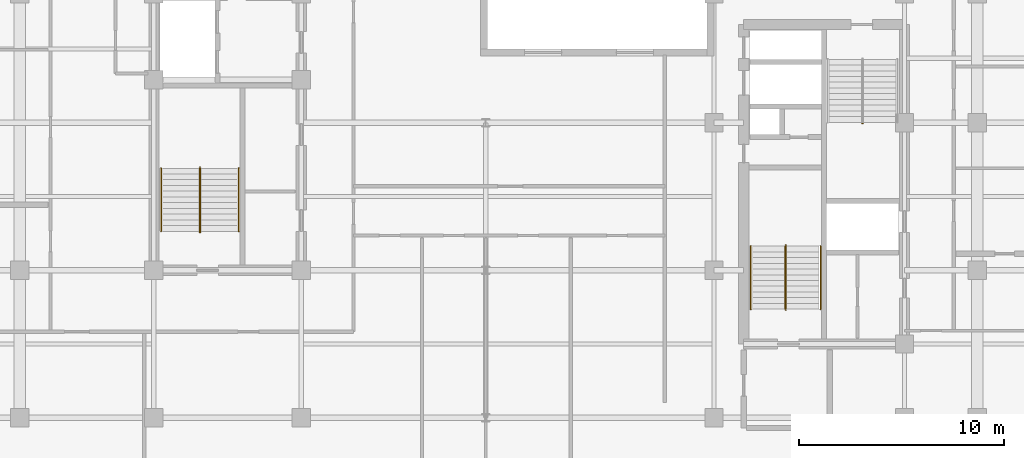
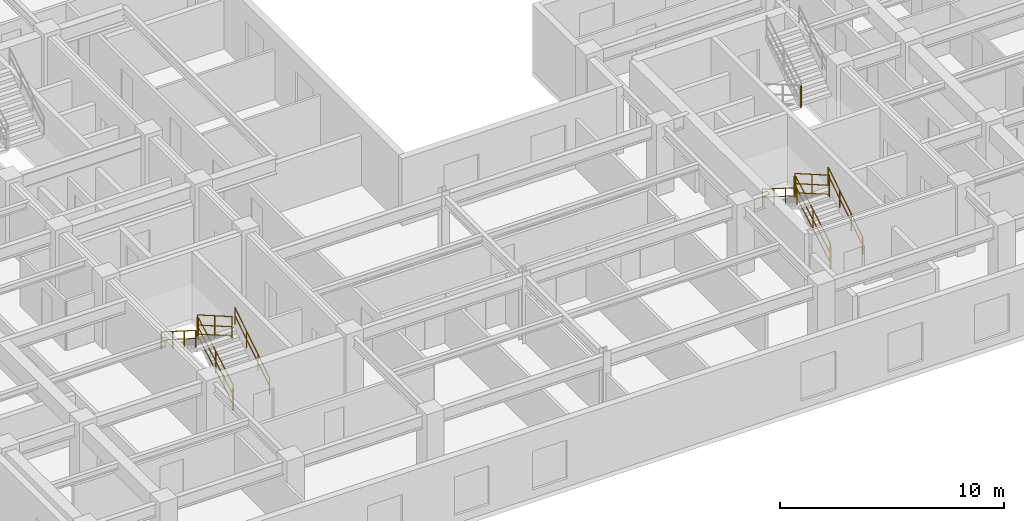
# One storey, part 9 of 11: 13 railings.
"""IFC4 building model written with IfcOpenShell, lengths in metres."""

import ifcopenshell
import ifcopenshell.guid

model = None  # the IFC model being written
_history = None  # IfcOwnerHistory: only IFC2X3 demands one
_inside = {}  # id of a spatial element -> (the spatial element, [elements in it])
_under = {}  # id of a project, library or spatial element -> (it, [spatial elements below it])
_declared = {}  # id of a project -> (the project, [libraries it declares])
_typed = {}  # id of a type object -> (the type object, [elements of that type])
_made_of = {}  # id of a material, layer set ... -> (it, [elements and type objects made of it])


def new_model(schema):
    """Start an empty IFC model of exactly this schema.

    Asked for "IFC4X3", IfcOpenShell would pick the latest addendum, in which some entities
    have other attributes; the version numbers below select the first issue.
    IFC2X3 requires an IfcOwnerHistory on every rooted entity: one is made here for all.
    """
    global model, _history
    if schema == "IFC4X3":
        model = ifcopenshell.file(schema_version=(4, 3, 0, 0))
    else:
        model = ifcopenshell.file(schema=schema)
    _inside.clear()
    _under.clear()
    _declared.clear()
    _typed.clear()
    _made_of.clear()
    _history = None
    if model.schema == "IFC2X3":
        org = make("IfcOrganization", Name="unknown")
        user = make(
            "IfcPersonAndOrganization",
            ThePerson=make("IfcPerson", FamilyName="unknown"),
            TheOrganization=org,
        )
        app = make(
            "IfcApplication",
            ApplicationDeveloper=org,
            Version="unknown",
            ApplicationFullName="unknown",
            ApplicationIdentifier="unknown",
        )
        _history = make(
            "IfcOwnerHistory",
            OwningUser=user,
            OwningApplication=app,
            ChangeAction="ADDED",
            CreationDate=0,
        )
    return model


def make(cls, **values):
    """One entity of the class cls with the attributes given. An attribute that is None is left unset."""
    return model.create_entity(
        cls, **{name: value for name, value in values.items() if value is not None}
    )


def entity(cls, *values):
    """Any entity or typed value of the class cls, its attributes in the order of the schema. None: left unset."""
    e = model.create_entity(cls)
    for i, value in enumerate(values):
        if value is not None:
            e[i] = value
    return e


def rooted(cls, **values):
    """An entity with a GlobalId (a new one), such as an element, a storey or a relation."""
    return make(cls, GlobalId=ifcopenshell.guid.new(), OwnerHistory=_history, **values)


def si_unit(unit_type, name, prefix=None):
    """IfcSIUnit, for example si_unit("LENGTHUNIT", "METRE", prefix="MILLI")."""
    return make("IfcSIUnit", UnitType=unit_type, Prefix=prefix, Name=name)


def converted_unit(unit_type, name, factor, base, dimensions=None, offset=None):
    """IfcConversionBasedUnit, such as the inch: factor (a typed value) times the base unit."""
    return make(
        "IfcConversionBasedUnit"
        if offset is None
        else "IfcConversionBasedUnitWithOffset",
        ConversionOffset=offset,
        Dimensions=None
        if dimensions is None
        else entity("IfcDimensionalExponents", *dimensions),
        UnitType=unit_type,
        Name=name,
        ConversionFactor=make(
            "IfcMeasureWithUnit", ValueComponent=factor, UnitComponent=base
        ),
    )


def assignment(units):
    """IfcUnitAssignment: the units of a project."""
    return None if units is None else make("IfcUnitAssignment", Units=units)


def point(xyz):
    """IfcCartesianPoint."""
    return None if xyz is None else make("IfcCartesianPoint", Coordinates=xyz)


def direction(xyz):
    """IfcDirection."""
    return None if xyz is None else make("IfcDirection", DirectionRatios=xyz)


def frame(location, z_axis=None, x_axis=None):
    """IfcAxis2Placement3D, a coordinate frame: its origin and axes. An axis left out is left unset."""
    return make(
        "IfcAxis2Placement3D",
        Location=point(location),
        Axis=direction(z_axis),
        RefDirection=direction(x_axis),
    )


def frame_2d(location, x_axis=None):
    """IfcAxis2Placement2D, a coordinate frame in the plane: its origin and x axis."""
    return make(
        "IfcAxis2Placement2D", Location=point(location), RefDirection=direction(x_axis)
    )


def origin_with_axes():
    """The frame at (0, 0, 0) with the z axis (0, 0, 1) and the x axis (1, 0, 0) written out."""
    return frame((0.0, 0.0, 0.0), z_axis=(0.0, 0.0, 1.0), x_axis=(1.0, 0.0, 0.0))


def origin_2d_with_axis():
    """The frame at (0, 0) in the plane with the x axis (1, 0) written out."""
    return frame_2d((0.0, 0.0), x_axis=(1.0, 0.0))


def place(relative_to, where):
    """IfcLocalPlacement: puts the frame where relative to a parent placement (None: the world)."""
    return make(
        "IfcLocalPlacement", PlacementRelTo=relative_to, RelativePlacement=where
    )


def context(
    kind, dimensions, precision=None, world=None, true_north=None, identifier=None
):
    """IfcGeometricRepresentationContext, for example the 3D "Model" context."""
    return make(
        "IfcGeometricRepresentationContext",
        ContextIdentifier=identifier,
        ContextType=kind,
        CoordinateSpaceDimension=dimensions,
        Precision=precision,
        WorldCoordinateSystem=world,
        TrueNorth=true_north,
    )


def subcontext(parent, identifier, kind, view, scale=None):
    """IfcGeometricRepresentationSubContext, for example "Body" below "Model"."""
    return make(
        "IfcGeometricRepresentationSubContext",
        ContextIdentifier=identifier,
        ContextType=kind,
        ParentContext=parent,
        TargetScale=scale,
        TargetView=view,
    )


def project(units=None, contexts=None):
    """IfcProject with its units and contexts."""
    return rooted(
        "IfcProject",
        Name="project",
        RepresentationContexts=contexts,
        UnitsInContext=assignment(units),
    )


def spatial(cls, under=None, at=None, **own):
    """A site, building, storey or space (cls), placed at a placement, below another one or the project."""
    s = rooted(cls, ObjectPlacement=at, **own)
    if under is not None:
        _under.setdefault(under.id(), (under, []))[1].append(s)
    return s


def profile(cls, at=None, kind="AREA", **sizes):
    """A parametric profile (cls). Its sizes go by their IFC names, for example OverallWidth=200.0."""
    return make(cls, ProfileType=kind, Position=at, **sizes)


def rectangle(**sizes):
    """IfcRectangleProfileDef."""
    return profile("IfcRectangleProfileDef", **sizes)


def circle(**sizes):
    """IfcCircleProfileDef."""
    return profile("IfcCircleProfileDef", **sizes)


def extrude(swept, where, along, depth):
    """IfcExtrudedAreaSolid: the profile swept, set in the frame where, extruded along a direction by depth."""
    return make(
        "IfcExtrudedAreaSolid",
        SweptArea=swept,
        Position=where,
        ExtrudedDirection=direction(along),
        Depth=depth,
    )


def shape(context_of_items, identifier, shape_type, items):
    """IfcShapeRepresentation: the items that make up one representation, for example the "Body"."""
    return make(
        "IfcShapeRepresentation",
        ContextOfItems=context_of_items,
        RepresentationIdentifier=identifier,
        RepresentationType=shape_type,
        Items=items,
    )


def material(Name=None, Category=None):
    """IfcMaterial."""
    return make("IfcMaterial", Name=Name, Category=Category)


def made_of(thing, what):
    """Note that an element or type object is made of a material, layer set ...; save() writes the relation."""
    if what is not None:
        _made_of.setdefault(what.id(), (what, []))[1].append(thing)
    return thing


def type_object(cls, material=None, **own):
    """A type object (cls), such as IfcWallType, which elements share."""
    return made_of(rooted(cls, **own), material)


def element(
    cls,
    number,
    at=None,
    inside=None,
    cuts=None,
    type_object=None,
    material=None,
    context=None,
    identifier="Body",
    shape_type=None,
    held_by="IfcProductDefinitionShape",
    body=None,
    shapes=None,
    **own,
):
    """One element of the class cls, such as IfcWall. Its Tag is "e" and its number.

    at: its placement. inside: the storey or other place that contains it. cuts: it is an
    opening in that element (IfcRelVoidsElement). A single representation is given by context,
    identifier, shape_type and body (its items); several are given by shapes. held_by: the class
    of the entity that holds the representations. save() writes the other relations.
    """
    e = rooted(cls, Tag="e%d" % number, ObjectPlacement=at, **own)
    if body is not None:
        shapes = [shape(context, identifier, shape_type, body)]
    if shapes is not None:
        e.Representation = make(held_by, Representations=shapes)
    if inside is not None:
        _inside.setdefault(inside.id(), (inside, []))[1].append(e)
    if cuts is not None:
        rooted(
            "IfcRelVoidsElement", RelatingBuildingElement=cuts, RelatedOpeningElement=e
        )
    if type_object is not None:
        _typed.setdefault(type_object.id(), (type_object, []))[1].append(e)
    return made_of(e, material)


def aggregate(whole, parts):
    """IfcRelAggregates: a whole, such as a stair, and the parts it consists of."""
    return rooted("IfcRelAggregates", RelatingObject=whole, RelatedObjects=parts)


def save(model, path):
    """Write the relations noted so far, then the file.

    IfcRelAggregates (storeys below a building ...), IfcRelContainedInSpatialStructure (elements
    in a storey), IfcRelDefinesByType, IfcRelAssociatesMaterial and IfcRelDeclares: one each for
    every whole, place, type object, material and project.
    """
    for whole, parts in _under.values():
        aggregate(whole, parts)
    for where, things in _inside.values():
        rooted(
            "IfcRelContainedInSpatialStructure",
            RelatedElements=things,
            RelatingStructure=where,
        )
    for kind, things in _typed.values():
        rooted("IfcRelDefinesByType", RelatedObjects=things, RelatingType=kind)
    for what, things in _made_of.values():
        rooted("IfcRelAssociatesMaterial", RelatedObjects=things, RelatingMaterial=what)
    for by, libraries in _declared.values():
        rooted("IfcRelDeclares", RelatingContext=by, RelatedDefinitions=libraries)
    model.write(path)


model = new_model("IFC4")

# Units and contexts
model_context = context("Model", 3, precision=1e-05, world=origin_with_axes(), true_north=direction((0.0, 1.0)))
body_context = subcontext(model_context, "Body", "Model", "MODEL_VIEW")
ifc_project = project(units=[si_unit("LENGTHUNIT", "METRE"), si_unit("AREAUNIT", "SQUARE_METRE"), si_unit("VOLUMEUNIT", "CUBIC_METRE"), converted_unit("PLANEANGLEUNIT", "DEGREE", entity("IfcPlaneAngleMeasure", 0.017453292519943295), si_unit("PLANEANGLEUNIT", "RADIAN"), dimensions=[0, 0, 0, 0, 0, 0, 0]), si_unit("MASSUNIT", "GRAM", prefix="KILO"), si_unit("THERMODYNAMICTEMPERATUREUNIT", "KELVIN")], contexts=[model_context])

# Site, building, storey
site_placement = place(None, origin_with_axes())
site = spatial("IfcSite", under=ifc_project, at=site_placement, CompositionType="ELEMENT")
building_placement = place(site_placement, origin_with_axes())
building = spatial("IfcBuilding", under=site, at=building_placement, Name="Varnlund Millrace Tower", CompositionType="ELEMENT")
storey_placement = place(building_placement, frame((0.0, 0.0, 192.6), z_axis=(0.0, 0.0, 1.0), x_axis=(1.0, 0.0, 0.0)))
storey = spatial("IfcBuildingStorey", under=building, at=storey_placement, Name="L47", CompositionType="ELEMENT", Elevation=192.6)

# Railings
ifc_material_1 = material(Name="Painted steel stair well balustrade guard", Category="steel")
railing_type_1 = type_object("IfcRailingType", Name="Type-StairGuard-1150", PredefinedType="GUARDRAIL", material=ifc_material_1)
railing_1_placement = place(storey_placement, frame((0.0, 0.0, -192.6), z_axis=(0.0, 0.0, 1.0), x_axis=(1.0, 0.0, 0.0)))
element("IfcRailing", 1, at=railing_1_placement, inside=storey, type_object=railing_type_1, Name="Type-StairGuard-1150", PredefinedType="GUARDRAIL", context=body_context, shape_type="SweptSolid", body=[
    extrude(circle(Radius=0.024, at=origin_2d_with_axis()), frame((13.675, 12.7, 193.927273), z_axis=(0.0, 0.866696, 0.498836), x_axis=(-1.0, 0.0, 0.0)), (0.0, 0.0, 1.0), 3.553725),
    extrude(circle(Radius=0.024, at=origin_2d_with_axis()), frame((13.675, 12.7, 192.877273), z_axis=(0.0, 0.866696, 0.498836), x_axis=(-1.0, 0.0, 0.0)), (0.0, 0.0, 1.0), 3.553725),
    extrude(circle(Radius=0.024, at=origin_2d_with_axis()), frame((13.675, 12.7, 193.375273), z_axis=(0.0, 0.866696, 0.498836), x_axis=(-1.0, 0.0, 0.0)), (0.0, 0.0, 1.0), 3.553725),
    extrude(rectangle(XDim=0.04, YDim=0.04, at=origin_2d_with_axis()), frame((13.675, 12.7, 192.737273), z_axis=(0.0, 0.0, 1.0), x_axis=(1.0, 0.0, 0.0)), (0.0, 0.0, 1.0), 1.19),
    extrude(rectangle(XDim=0.04, YDim=0.04, at=origin_2d_with_axis()), frame((13.675, 14.24, 193.623636), z_axis=(0.0, 0.0, 1.0), x_axis=(1.0, 0.0, 0.0)), (0.0, 0.0, 1.0), 1.19),
    extrude(rectangle(XDim=0.04, YDim=0.04, at=origin_2d_with_axis()), frame((13.675, 15.78, 194.51), z_axis=(0.0, 0.0, 1.0), x_axis=(1.0, 0.0, 0.0)), (0.0, 0.0, 1.0), 1.19),
])
railing_2_placement = place(storey_placement, frame((0.0, 0.0, -192.6), z_axis=(0.0, 0.0, 1.0), x_axis=(1.0, 0.0, 0.0)))
element("IfcRailing", 2, at=railing_2_placement, inside=storey, type_object=railing_type_1, Name="Type-StairGuard-1150", PredefinedType="GUARDRAIL", context=body_context, shape_type="SweptSolid", body=[
    extrude(circle(Radius=0.024, at=origin_2d_with_axis()), frame((13.625, 15.83, 195.7), z_axis=(1.0, 0.0, 0.0), x_axis=(0.0, 1.0, 0.0)), (0.0, 0.0, 1.0), 0.05),
    extrude(circle(Radius=0.024, at=origin_2d_with_axis()), frame((13.625, 15.83, 194.65), z_axis=(1.0, 0.0, 0.0), x_axis=(0.0, 1.0, 0.0)), (0.0, 0.0, 1.0), 0.05),
    extrude(circle(Radius=0.024, at=origin_2d_with_axis()), frame((13.625, 15.83, 195.148), z_axis=(1.0, 0.0, 0.0), x_axis=(0.0, 1.0, 0.0)), (0.0, 0.0, 1.0), 0.05),
    extrude(rectangle(XDim=0.04, YDim=0.04, at=origin_2d_with_axis()), frame((13.625, 15.83, 194.51), z_axis=(0.0, 0.0, 1.0), x_axis=(1.0, 0.0, 0.0)), (0.0, 0.0, 1.0), 1.19),
    extrude(rectangle(XDim=0.04, YDim=0.04, at=origin_2d_with_axis()), frame((13.675, 15.83, 194.51), z_axis=(0.0, 0.0, 1.0), x_axis=(1.0, 0.0, 0.0)), (0.0, 0.0, 1.0), 1.19),
])
railing_3_placement = place(storey_placement, frame((0.0, 0.0, -192.6), z_axis=(0.0, 0.0, 1.0), x_axis=(1.0, 0.0, 0.0)))
element("IfcRailing", 3, at=railing_3_placement, inside=storey, type_object=railing_type_1, Name="Type-StairGuard-1150", PredefinedType="GUARDRAIL", context=body_context, shape_type="SweptSolid", body=[
    extrude(circle(Radius=0.024, at=origin_2d_with_axis()), frame((13.625, 15.78, 195.877273), z_axis=(0.0, -0.866696, 0.498836), x_axis=(1.0, 0.0, 0.0)), (0.0, 0.0, 1.0), 3.553725),
    extrude(circle(Radius=0.024, at=origin_2d_with_axis()), frame((13.625, 15.78, 194.827273), z_axis=(0.0, -0.866696, 0.498836), x_axis=(1.0, 0.0, 0.0)), (0.0, 0.0, 1.0), 3.553725),
    extrude(circle(Radius=0.024, at=origin_2d_with_axis()), frame((13.625, 15.78, 195.325273), z_axis=(0.0, -0.866696, 0.498836), x_axis=(1.0, 0.0, 0.0)), (0.0, 0.0, 1.0), 3.553725),
    extrude(rectangle(XDim=0.04, YDim=0.04, at=origin_2d_with_axis()), frame((13.625, 15.78, 194.687273), z_axis=(0.0, 0.0, 1.0), x_axis=(1.0, 0.0, 0.0)), (0.0, 0.0, 1.0), 1.19),
    extrude(rectangle(XDim=0.04, YDim=0.04, at=origin_2d_with_axis()), frame((13.625, 14.24, 195.573636), z_axis=(0.0, 0.0, 1.0), x_axis=(1.0, 0.0, 0.0)), (0.0, 0.0, 1.0), 1.19),
    extrude(rectangle(XDim=0.04, YDim=0.04, at=origin_2d_with_axis()), frame((13.625, 12.7, 196.46), z_axis=(0.0, 0.0, 1.0), x_axis=(1.0, 0.0, 0.0)), (0.0, 0.0, 1.0), 1.19),
])
railing_4_placement = place(storey_placement, frame((0.0, 0.0, -192.6), z_axis=(0.0, 0.0, 1.0), x_axis=(1.0, 0.0, 0.0)))
element("IfcRailing", 4, at=railing_4_placement, inside=storey, type_object=railing_type_1, Name="Type-StairGuard-1150", PredefinedType="GUARDRAIL", context=body_context, shape_type="SweptSolid", body=[
    extrude(circle(Radius=0.024, at=origin_2d_with_axis()), frame((13.625, 12.65, 193.75), z_axis=(1.0, 0.0, 0.0), x_axis=(0.0, 1.0, 0.0)), (0.0, 0.0, 1.0), 0.05),
    extrude(circle(Radius=0.024, at=origin_2d_with_axis()), frame((13.625, 12.65, 192.7), z_axis=(1.0, 0.0, 0.0), x_axis=(0.0, 1.0, 0.0)), (0.0, 0.0, 1.0), 0.05),
    extrude(circle(Radius=0.024, at=origin_2d_with_axis()), frame((13.625, 12.65, 193.198), z_axis=(1.0, 0.0, 0.0), x_axis=(0.0, 1.0, 0.0)), (0.0, 0.0, 1.0), 0.05),
    extrude(rectangle(XDim=0.04, YDim=0.04, at=origin_2d_with_axis()), frame((13.625, 12.65, 192.56), z_axis=(0.0, 0.0, 1.0), x_axis=(1.0, 0.0, 0.0)), (0.0, 0.0, 1.0), 1.19),
    extrude(rectangle(XDim=0.04, YDim=0.04, at=origin_2d_with_axis()), frame((13.675, 12.65, 192.56), z_axis=(0.0, 0.0, 1.0), x_axis=(1.0, 0.0, 0.0)), (0.0, 0.0, 1.0), 1.19),
])
railing_5_placement = place(storey_placement, frame((0.0, 0.0, -192.6), z_axis=(0.0, 0.0, 1.0), x_axis=(1.0, 0.0, 0.0)))
element("IfcRailing", 5, at=railing_5_placement, inside=storey, type_object=railing_type_1, Name="Type-StairGuard-1150", PredefinedType="GUARDRAIL", context=body_context, shape_type="SweptSolid", body=[
    extrude(circle(Radius=0.024, at=origin_2d_with_axis()), frame((42.275, 8.9, 193.927273), z_axis=(0.0, 0.866696, 0.498836), x_axis=(-1.0, 0.0, 0.0)), (0.0, 0.0, 1.0), 3.553725),
    extrude(circle(Radius=0.024, at=origin_2d_with_axis()), frame((42.275, 8.9, 192.877273), z_axis=(0.0, 0.866696, 0.498836), x_axis=(-1.0, 0.0, 0.0)), (0.0, 0.0, 1.0), 3.553725),
    extrude(circle(Radius=0.024, at=origin_2d_with_axis()), frame((42.275, 8.9, 193.375273), z_axis=(0.0, 0.866696, 0.498836), x_axis=(-1.0, 0.0, 0.0)), (0.0, 0.0, 1.0), 3.553725),
    extrude(rectangle(XDim=0.04, YDim=0.04, at=origin_2d_with_axis()), frame((42.275, 8.9, 192.737273), z_axis=(0.0, 0.0, 1.0), x_axis=(1.0, 0.0, 0.0)), (0.0, 0.0, 1.0), 1.19),
    extrude(rectangle(XDim=0.04, YDim=0.04, at=origin_2d_with_axis()), frame((42.275, 10.44, 193.623636), z_axis=(0.0, 0.0, 1.0), x_axis=(1.0, 0.0, 0.0)), (0.0, 0.0, 1.0), 1.19),
    extrude(rectangle(XDim=0.04, YDim=0.04, at=origin_2d_with_axis()), frame((42.275, 11.98, 194.51), z_axis=(0.0, 0.0, 1.0), x_axis=(1.0, 0.0, 0.0)), (0.0, 0.0, 1.0), 1.19),
])
railing_6_placement = place(storey_placement, frame((0.0, 0.0, -192.6), z_axis=(0.0, 0.0, 1.0), x_axis=(1.0, 0.0, 0.0)))
element("IfcRailing", 6, at=railing_6_placement, inside=storey, type_object=railing_type_1, Name="Type-StairGuard-1150", PredefinedType="GUARDRAIL", context=body_context, shape_type="SweptSolid", body=[
    extrude(circle(Radius=0.024, at=origin_2d_with_axis()), frame((42.225, 12.03, 195.7), z_axis=(1.0, 0.0, 0.0), x_axis=(0.0, 1.0, 0.0)), (0.0, 0.0, 1.0), 0.05),
    extrude(circle(Radius=0.024, at=origin_2d_with_axis()), frame((42.225, 12.03, 194.65), z_axis=(1.0, 0.0, 0.0), x_axis=(0.0, 1.0, 0.0)), (0.0, 0.0, 1.0), 0.05),
    extrude(circle(Radius=0.024, at=origin_2d_with_axis()), frame((42.225, 12.03, 195.148), z_axis=(1.0, 0.0, 0.0), x_axis=(0.0, 1.0, 0.0)), (0.0, 0.0, 1.0), 0.05),
    extrude(rectangle(XDim=0.04, YDim=0.04, at=origin_2d_with_axis()), frame((42.225, 12.03, 194.51), z_axis=(0.0, 0.0, 1.0), x_axis=(1.0, 0.0, 0.0)), (0.0, 0.0, 1.0), 1.19),
    extrude(rectangle(XDim=0.04, YDim=0.04, at=origin_2d_with_axis()), frame((42.275, 12.03, 194.51), z_axis=(0.0, 0.0, 1.0), x_axis=(1.0, 0.0, 0.0)), (0.0, 0.0, 1.0), 1.19),
])
railing_7_placement = place(storey_placement, frame((0.0, 0.0, -192.6), z_axis=(0.0, 0.0, 1.0), x_axis=(1.0, 0.0, 0.0)))
element("IfcRailing", 7, at=railing_7_placement, inside=storey, type_object=railing_type_1, Name="Type-StairGuard-1150", PredefinedType="GUARDRAIL", context=body_context, shape_type="SweptSolid", body=[
    extrude(circle(Radius=0.024, at=origin_2d_with_axis()), frame((42.225, 11.98, 195.877273), z_axis=(0.0, -0.866696, 0.498836), x_axis=(1.0, 0.0, 0.0)), (0.0, 0.0, 1.0), 3.553725),
    extrude(circle(Radius=0.024, at=origin_2d_with_axis()), frame((42.225, 11.98, 194.827273), z_axis=(0.0, -0.866696, 0.498836), x_axis=(1.0, 0.0, 0.0)), (0.0, 0.0, 1.0), 3.553725),
    extrude(circle(Radius=0.024, at=origin_2d_with_axis()), frame((42.225, 11.98, 195.325273), z_axis=(0.0, -0.866696, 0.498836), x_axis=(1.0, 0.0, 0.0)), (0.0, 0.0, 1.0), 3.553725),
    extrude(rectangle(XDim=0.04, YDim=0.04, at=origin_2d_with_axis()), frame((42.225, 11.98, 194.687273), z_axis=(0.0, 0.0, 1.0), x_axis=(1.0, 0.0, 0.0)), (0.0, 0.0, 1.0), 1.19),
    extrude(rectangle(XDim=0.04, YDim=0.04, at=origin_2d_with_axis()), frame((42.225, 10.44, 195.573636), z_axis=(0.0, 0.0, 1.0), x_axis=(1.0, 0.0, 0.0)), (0.0, 0.0, 1.0), 1.19),
    extrude(rectangle(XDim=0.04, YDim=0.04, at=origin_2d_with_axis()), frame((42.225, 8.9, 196.46), z_axis=(0.0, 0.0, 1.0), x_axis=(1.0, 0.0, 0.0)), (0.0, 0.0, 1.0), 1.19),
])
railing_8_placement = place(storey_placement, frame((0.0, 0.0, -192.6), z_axis=(0.0, 0.0, 1.0), x_axis=(1.0, 0.0, 0.0)))
element("IfcRailing", 8, at=railing_8_placement, inside=storey, type_object=railing_type_1, Name="Type-StairGuard-1150", PredefinedType="GUARDRAIL", context=body_context, shape_type="SweptSolid", body=[
    extrude(circle(Radius=0.024, at=origin_2d_with_axis()), frame((42.225, 8.85, 193.75), z_axis=(1.0, 0.0, 0.0), x_axis=(0.0, 1.0, 0.0)), (0.0, 0.0, 1.0), 0.05),
    extrude(circle(Radius=0.024, at=origin_2d_with_axis()), frame((42.225, 8.85, 192.7), z_axis=(1.0, 0.0, 0.0), x_axis=(0.0, 1.0, 0.0)), (0.0, 0.0, 1.0), 0.05),
    extrude(circle(Radius=0.024, at=origin_2d_with_axis()), frame((42.225, 8.85, 193.198), z_axis=(1.0, 0.0, 0.0), x_axis=(0.0, 1.0, 0.0)), (0.0, 0.0, 1.0), 0.05),
    extrude(rectangle(XDim=0.04, YDim=0.04, at=origin_2d_with_axis()), frame((42.225, 8.85, 192.56), z_axis=(0.0, 0.0, 1.0), x_axis=(1.0, 0.0, 0.0)), (0.0, 0.0, 1.0), 1.19),
    extrude(rectangle(XDim=0.04, YDim=0.04, at=origin_2d_with_axis()), frame((42.275, 8.85, 192.56), z_axis=(0.0, 0.0, 1.0), x_axis=(1.0, 0.0, 0.0)), (0.0, 0.0, 1.0), 1.19),
])
railing_9_placement = place(storey_placement, frame((0.0, 0.0, -192.6), z_axis=(0.0, 0.0, 1.0), x_axis=(1.0, 0.0, 0.0)))
element("IfcRailing", 9, at=railing_9_placement, inside=storey, type_object=railing_type_1, Name="Type-StairGuard-1150", PredefinedType="GUARDRAIL", context=body_context, shape_type="SweptSolid", body=[
    extrude(circle(Radius=0.024, at=origin_2d_with_axis()), frame((46.025, 17.97, 195.7), z_axis=(-1.0, 0.0, 0.0), x_axis=(0.0, -1.0, 0.0)), (0.0, 0.0, 1.0), 0.05),
    extrude(circle(Radius=0.024, at=origin_2d_with_axis()), frame((46.025, 17.97, 194.65), z_axis=(-1.0, 0.0, 0.0), x_axis=(0.0, -1.0, 0.0)), (0.0, 0.0, 1.0), 0.05),
    extrude(circle(Radius=0.024, at=origin_2d_with_axis()), frame((46.025, 17.97, 195.148), z_axis=(-1.0, 0.0, 0.0), x_axis=(0.0, -1.0, 0.0)), (0.0, 0.0, 1.0), 0.05),
    extrude(rectangle(XDim=0.04, YDim=0.04, at=origin_2d_with_axis()), frame((46.025, 17.97, 194.51), z_axis=(0.0, 0.0, 1.0), x_axis=(1.0, 0.0, 0.0)), (0.0, 0.0, 1.0), 1.19),
    extrude(rectangle(XDim=0.04, YDim=0.04, at=origin_2d_with_axis()), frame((45.975, 17.97, 194.51), z_axis=(0.0, 0.0, 1.0), x_axis=(1.0, 0.0, 0.0)), (0.0, 0.0, 1.0), 1.19),
])
ifc_material_2 = material(Name="Brushed architectural bronze stair handrail", Category="aluminium")
railing_type_2 = type_object("IfcRailingType", Name="Type-StairHandrail-900", PredefinedType="HANDRAIL", material=ifc_material_2)
railing_10_placement = place(storey_placement, frame((0.0, 0.0, -192.6), z_axis=(0.0, 0.0, 1.0), x_axis=(1.0, 0.0, 0.0)))
element("IfcRailing", 10, at=railing_10_placement, inside=storey, type_object=railing_type_2, Name="Type-StairHandrail-900", PredefinedType="HANDRAIL", context=body_context, shape_type="SweptSolid", body=[
    extrude(circle(Radius=0.024, at=origin_2d_with_axis()), frame((15.55, 12.7, 193.656995), z_axis=(0.0, 0.844902, 0.534922), x_axis=(-1.0, 0.0, 0.0)), (0.0, 0.0, 1.0), 3.645394),
    extrude(circle(Radius=0.024, at=origin_2d_with_axis()), frame((15.55, 12.7, 193.217134), z_axis=(0.0, 0.844902, 0.534922), x_axis=(-1.0, 0.0, 0.0)), (0.0, 0.0, 1.0), 3.645394),
    extrude(rectangle(XDim=0.04, YDim=0.04, at=origin_2d_with_axis()), frame((15.55, 12.7, 192.737273), z_axis=(0.0, 0.0, 1.0), x_axis=(1.0, 0.0, 0.0)), (0.0, 0.0, 1.0), 0.919722),
    extrude(rectangle(XDim=0.04, YDim=0.04, at=origin_2d_with_axis()), frame((15.55, 13.726667, 193.387273), z_axis=(0.0, 0.0, 1.0), x_axis=(1.0, 0.0, 0.0)), (0.0, 0.0, 1.0), 0.919722),
    extrude(rectangle(XDim=0.04, YDim=0.04, at=origin_2d_with_axis()), frame((15.55, 14.753333, 194.037273), z_axis=(0.0, 0.0, 1.0), x_axis=(1.0, 0.0, 0.0)), (0.0, 0.0, 1.0), 0.919722),
    extrude(rectangle(XDim=0.04, YDim=0.04, at=origin_2d_with_axis()), frame((15.55, 15.78, 194.687273), z_axis=(0.0, 0.0, 1.0), x_axis=(1.0, 0.0, 0.0)), (0.0, 0.0, 1.0), 0.919722),
])
railing_11_placement = place(storey_placement, frame((0.0, 0.0, -192.6), z_axis=(0.0, 0.0, 1.0), x_axis=(1.0, 0.0, 0.0)))
element("IfcRailing", 11, at=railing_11_placement, inside=storey, type_object=railing_type_2, Name="Type-StairHandrail-900", PredefinedType="HANDRAIL", context=body_context, shape_type="SweptSolid", body=[
    extrude(circle(Radius=0.024, at=origin_2d_with_axis()), frame((11.75, 15.78, 195.606995), z_axis=(0.0, -0.844902, 0.534922), x_axis=(1.0, 0.0, 0.0)), (0.0, 0.0, 1.0), 3.645394),
    extrude(circle(Radius=0.024, at=origin_2d_with_axis()), frame((11.75, 15.78, 195.167134), z_axis=(0.0, -0.844902, 0.534922), x_axis=(1.0, 0.0, 0.0)), (0.0, 0.0, 1.0), 3.645394),
    extrude(rectangle(XDim=0.04, YDim=0.04, at=origin_2d_with_axis()), frame((11.75, 15.78, 194.687273), z_axis=(0.0, 0.0, 1.0), x_axis=(1.0, 0.0, 0.0)), (0.0, 0.0, 1.0), 0.919722),
    extrude(rectangle(XDim=0.04, YDim=0.04, at=origin_2d_with_axis()), frame((11.75, 14.753333, 195.337273), z_axis=(0.0, 0.0, 1.0), x_axis=(1.0, 0.0, 0.0)), (0.0, 0.0, 1.0), 0.919722),
    extrude(rectangle(XDim=0.04, YDim=0.04, at=origin_2d_with_axis()), frame((11.75, 13.726667, 195.987273), z_axis=(0.0, 0.0, 1.0), x_axis=(1.0, 0.0, 0.0)), (0.0, 0.0, 1.0), 0.919722),
    extrude(rectangle(XDim=0.04, YDim=0.04, at=origin_2d_with_axis()), frame((11.75, 12.7, 196.637273), z_axis=(0.0, 0.0, 1.0), x_axis=(1.0, 0.0, 0.0)), (0.0, 0.0, 1.0), 0.919722),
])
railing_12_placement = place(storey_placement, frame((0.0, 0.0, -192.6), z_axis=(0.0, 0.0, 1.0), x_axis=(1.0, 0.0, 0.0)))
element("IfcRailing", 12, at=railing_12_placement, inside=storey, type_object=railing_type_2, Name="Type-StairHandrail-900", PredefinedType="HANDRAIL", context=body_context, shape_type="SweptSolid", body=[
    extrude(circle(Radius=0.024, at=origin_2d_with_axis()), frame((43.95, 8.9, 193.656995), z_axis=(0.0, 0.844902, 0.534922), x_axis=(-1.0, 0.0, 0.0)), (0.0, 0.0, 1.0), 3.645394),
    extrude(circle(Radius=0.024, at=origin_2d_with_axis()), frame((43.95, 8.9, 193.217134), z_axis=(0.0, 0.844902, 0.534922), x_axis=(-1.0, 0.0, 0.0)), (0.0, 0.0, 1.0), 3.645394),
    extrude(rectangle(XDim=0.04, YDim=0.04, at=origin_2d_with_axis()), frame((43.95, 8.9, 192.737273), z_axis=(0.0, 0.0, 1.0), x_axis=(1.0, 0.0, 0.0)), (0.0, 0.0, 1.0), 0.919722),
    extrude(rectangle(XDim=0.04, YDim=0.04, at=origin_2d_with_axis()), frame((43.95, 9.926667, 193.387273), z_axis=(0.0, 0.0, 1.0), x_axis=(1.0, 0.0, 0.0)), (0.0, 0.0, 1.0), 0.919722),
    extrude(rectangle(XDim=0.04, YDim=0.04, at=origin_2d_with_axis()), frame((43.95, 10.953333, 194.037273), z_axis=(0.0, 0.0, 1.0), x_axis=(1.0, 0.0, 0.0)), (0.0, 0.0, 1.0), 0.919722),
    extrude(rectangle(XDim=0.04, YDim=0.04, at=origin_2d_with_axis()), frame((43.95, 11.98, 194.687273), z_axis=(0.0, 0.0, 1.0), x_axis=(1.0, 0.0, 0.0)), (0.0, 0.0, 1.0), 0.919722),
])
railing_13_placement = place(storey_placement, frame((0.0, 0.0, -192.6), z_axis=(0.0, 0.0, 1.0), x_axis=(1.0, 0.0, 0.0)))
element("IfcRailing", 13, at=railing_13_placement, inside=storey, type_object=railing_type_2, Name="Type-StairHandrail-900", PredefinedType="HANDRAIL", context=body_context, shape_type="SweptSolid", body=[
    extrude(circle(Radius=0.024, at=origin_2d_with_axis()), frame((40.55, 11.98, 195.606995), z_axis=(0.0, -0.844902, 0.534922), x_axis=(1.0, 0.0, 0.0)), (0.0, 0.0, 1.0), 3.645394),
    extrude(circle(Radius=0.024, at=origin_2d_with_axis()), frame((40.55, 11.98, 195.167134), z_axis=(0.0, -0.844902, 0.534922), x_axis=(1.0, 0.0, 0.0)), (0.0, 0.0, 1.0), 3.645394),
    extrude(rectangle(XDim=0.04, YDim=0.04, at=origin_2d_with_axis()), frame((40.55, 11.98, 194.687273), z_axis=(0.0, 0.0, 1.0), x_axis=(1.0, 0.0, 0.0)), (0.0, 0.0, 1.0), 0.919722),
    extrude(rectangle(XDim=0.04, YDim=0.04, at=origin_2d_with_axis()), frame((40.55, 10.953333, 195.337273), z_axis=(0.0, 0.0, 1.0), x_axis=(1.0, 0.0, 0.0)), (0.0, 0.0, 1.0), 0.919722),
    extrude(rectangle(XDim=0.04, YDim=0.04, at=origin_2d_with_axis()), frame((40.55, 9.926667, 195.987273), z_axis=(0.0, 0.0, 1.0), x_axis=(1.0, 0.0, 0.0)), (0.0, 0.0, 1.0), 0.919722),
    extrude(rectangle(XDim=0.04, YDim=0.04, at=origin_2d_with_axis()), frame((40.55, 8.9, 196.637273), z_axis=(0.0, 0.0, 1.0), x_axis=(1.0, 0.0, 0.0)), (0.0, 0.0, 1.0), 0.919722),
])

save(model, "model.ifc")
